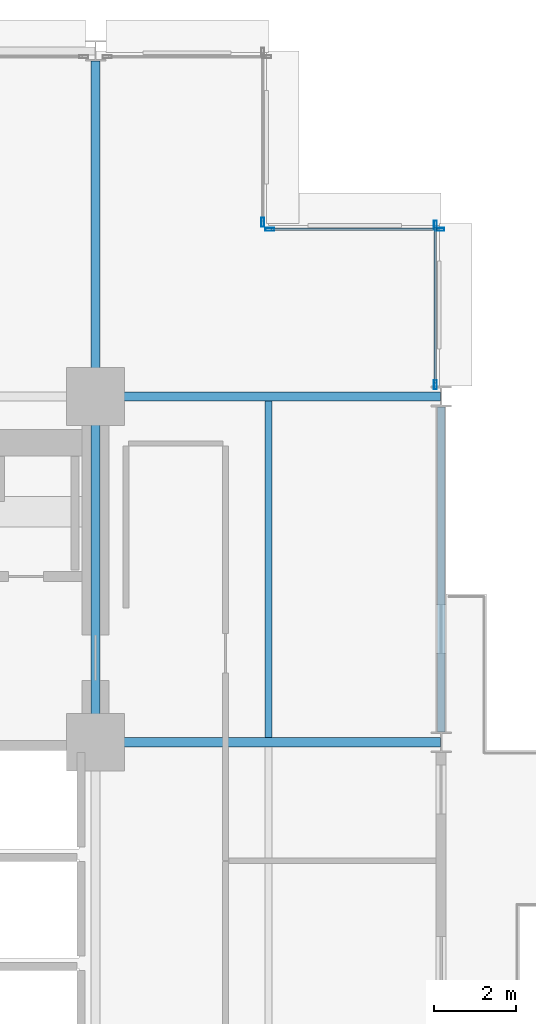
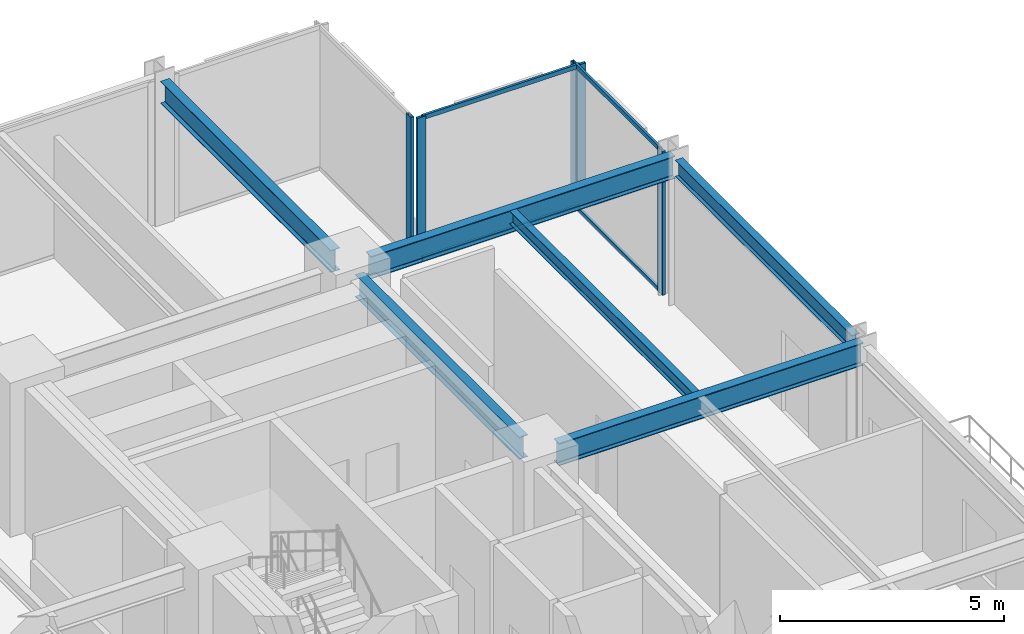
# One storey, part 16 of 25: 9 members, 6 beams, 3 elements without a shape of their own.
"""IFC4 building model written with IfcOpenShell, lengths in metres."""

from ifc_helpers import new_model, si_unit, direction, frame, origin, origin_2d, place, context, subcontext, project, spatial, hollow_rectangle, i_section, extrude, material, layer, layer_set, material_profile, profile_set, type_object, element, aggregate, save


model = new_model("IFC4")

# Units and contexts
model_context = context("Model", 3, precision=1e-05, world=origin(), true_north=direction((0.0, 1.0)))
body_context = subcontext(model_context, "Body", "Model", "MODEL_VIEW")
ifc_project = project(units=[si_unit("LENGTHUNIT", "METRE"), si_unit("AREAUNIT", "SQUARE_METRE"), si_unit("VOLUMEUNIT", "CUBIC_METRE"), si_unit("PLANEANGLEUNIT", "RADIAN"), si_unit("MASSUNIT", "GRAM", prefix="KILO")], contexts=[model_context])

# Site, building, storey
site_placement = place(None, origin())
site = spatial("IfcSite", under=ifc_project, at=site_placement, CompositionType="ELEMENT")
building_placement = place(site_placement, origin())
building = spatial("IfcBuilding", under=site, at=building_placement, Name="Nerrivon Quay Data Exchange", CompositionType="ELEMENT")
storey_placement = place(building_placement, frame((0.0, 0.0, 54.199951171875)))
storey = spatial("IfcBuildingStorey", under=building, at=storey_placement, Name="L12", CompositionType="ELEMENT", Elevation=54.199951171875)

# Beams
ifc_material_1 = material(Name="Steel Grade 350", Category="steel")
ifc_material_profile_1 = material_profile(ifc_material_1, i_section(OverallWidth=0.22900390625, OverallDepth=0.612060546875, WebThickness=0.011962890625, FlangeThickness=0.01953125, FilletRadius=0.013916015625, at=origin_2d()), Name="610UB125")
ifc_profile_set_1 = profile_set([ifc_material_profile_1], Name="Steel Grade 350")
beam_type_1 = type_object("IfcBeamType", Name="BM-G1-610UB125", PredefinedType="BEAM", material=ifc_profile_set_1)
for number, where, z_axis, x_axis, name in (
    (1, (17.340087890625, 33.60009765625, 3.619140625), (1.0, 0.0, 0.0), (0.0, 1.0, 0.0), "L12 EW Girder Y=33.6 (16.8..25.2)"),
    (2, (17.340087890625, 42.0, 3.619140625), (1.0, 0.0, 0.0), (0.0, 1.0, 0.0), "L12 EW Girder Y=42.0 (16.8..25.2)"),
):
    element("IfcBeam", number, at=place(storey_placement, frame(where, z_axis=z_axis, x_axis=x_axis)), inside=storey, type_object=beam_type_1, Name=name, PredefinedType="BEAM", context=body_context, shape_type="SweptSolid", body=[
        extrude(i_section(OverallWidth=0.22900390625, OverallDepth=0.612060546875, WebThickness=0.011962890625, FlangeThickness=0.01953125, FilletRadius=0.013916015625, at=origin_2d()), origin(), (0.0, 0.0, 1.0), 7.845947265625),
    ])
ifc_material_profile_2 = material_profile(ifc_material_1, i_section(OverallWidth=0.22802734375, OverallDepth=0.60205078125, WebThickness=0.010498046875, FlangeThickness=0.014892578125, FilletRadius=0.013916015625, at=origin_2d()), Name="610UB101")
ifc_profile_set_2 = profile_set([ifc_material_profile_2], Name="Steel Grade 350")
beam_type_2 = type_object("IfcBeamType", Name="BM-G2-610UB101", PredefinedType="BEAM", material=ifc_profile_set_2)
beam_1_placement = place(storey_placement, frame((16.800048828125, 34.139892578125, 3.6240234375), z_axis=(0.0, 1.0, 0.0), x_axis=(-1.0, 0.0, 0.0)))
element("IfcBeam", 3, at=beam_1_placement, inside=storey, type_object=beam_type_2, Name="L12 NS Girder X=16.8 (33.6..42.0)", PredefinedType="BEAM", context=body_context, shape_type="SweptSolid", body=[
    extrude(i_section(OverallWidth=0.22802734375, OverallDepth=0.60205078125, WebThickness=0.010498046875, FlangeThickness=0.014892578125, FilletRadius=0.013916015625, at=origin_2d()), origin(), (0.0, 0.0, 1.0), 7.320068359375),
])
beam_2_placement = place(storey_placement, frame((16.800048828125, 42.5400390625, 3.6240234375), z_axis=(0.0, 1.0, 0.0), x_axis=(-1.0, 0.0, 0.0)))
element("IfcBeam", 4, at=beam_2_placement, inside=storey, type_object=beam_type_2, Name="L12 NS Girder X=16.8 (42.0..50.4)", PredefinedType="BEAM", context=body_context, shape_type="SweptSolid", body=[
    extrude(i_section(OverallWidth=0.22802734375, OverallDepth=0.60205078125, WebThickness=0.010498046875, FlangeThickness=0.014892578125, FilletRadius=0.013916015625, at=origin_2d()), origin(), (0.0, 0.0, 1.0), 7.60986328125),
])
ifc_material_profile_3 = material_profile(ifc_material_1, i_section(OverallWidth=0.172119140625, OverallDepth=0.35888671875, WebThickness=0.008056640625, FlangeThickness=0.012939453125, FilletRadius=0.011474609375, at=origin_2d()), Name="360UB56.7")
ifc_profile_set_3 = profile_set([ifc_material_profile_3], Name="Steel Grade 350")
beam_type_3 = type_object("IfcBeamType", Name="BM-J3-360UB57", PredefinedType="JOIST", material=ifc_profile_set_3)
beam_3_placement = place(storey_placement, frame((21.0, 33.714599609375, 3.74560546875), z_axis=(0.0, 1.0, 0.0), x_axis=(-1.0, 0.0, 0.0)))
element("IfcBeam", 5, at=beam_3_placement, inside=storey, type_object=beam_type_3, Name="L12 Secondary Joist X=21.0 (33.6..42.0)", PredefinedType="JOIST", context=body_context, shape_type="SweptSolid", body=[
    extrude(i_section(OverallWidth=0.172119140625, OverallDepth=0.35888671875, WebThickness=0.008056640625, FlangeThickness=0.012939453125, FilletRadius=0.011474609375, at=origin_2d()), origin(), (0.0, 0.0, 1.0), 8.1708984375),
])
ifc_material_profile_4 = material_profile(ifc_material_1, i_section(OverallWidth=0.18994140625, OverallDepth=0.4541015625, WebThickness=0.008544921875, FlangeThickness=0.0126953125, FilletRadius=0.011474609375, at=origin_2d()), Name="460UB67.1")
ifc_profile_set_4 = profile_set([ifc_material_profile_4], Name="Steel Grade 350")
beam_type_4 = type_object("IfcBeamType", Name="BM-SP1-460UB67", PredefinedType="SPANDREL", material=ifc_profile_set_4)
beam_4_placement = place(storey_placement, frame((25.199951171875, 33.85009765625, 3.697998046875), z_axis=(0.0, 1.0, 0.0), x_axis=(-1.0, 0.0, 0.0)))
element("IfcBeam", 6, at=beam_4_placement, inside=storey, type_object=beam_type_4, Name="L12 NS Girder X=25.2 (33.6..42.0)", PredefinedType="SPANDREL", context=body_context, shape_type="SweptSolid", body=[
    extrude(i_section(OverallWidth=0.18994140625, OverallDepth=0.4541015625, WebThickness=0.008544921875, FlangeThickness=0.0126953125, FilletRadius=0.011474609375, at=origin_2d()), origin(), (0.0, 0.0, 1.0), 7.89990234375),
])

# Curtain wall, member
ifc_material_2 = material(Name="Anodised aluminium 6063-T6", Category="aluminium")
ifc_layer = layer(ifc_material_2, 0.219970703125)
ifc_layer_set = layer_set([ifc_layer], Name="Anodised aluminium 6063-T6")
curtain_wall_type = type_object("IfcCurtainWallType", Name="CW-SYS-01", PredefinedType="NOTDEFINED", material=ifc_layer_set)
curtain_wall_1_placement = place(storey_placement, origin())
curtain_wall_1 = element("IfcCurtainWall", 7, at=curtain_wall_1_placement, inside=storey, type_object=curtain_wall_type, Name="L12 Unitised Curtain Wall 23", PredefinedType="NOTDEFINED")
ifc_material_profile_5 = material_profile(ifc_material_2, hollow_rectangle(XDim=0.074951171875, YDim=0.219970703125, WallThickness=0.00390625, at=origin_2d()), Name="ALU-MULL-220x75")
ifc_profile_set_5 = profile_set([ifc_material_profile_5], Name="Anodised aluminium 6063-T6")
member_type_1 = type_object("IfcMemberType", Name="CWM-220x75", PredefinedType="MULLION", material=ifc_profile_set_5)
member_1_placement = place(storey_placement, frame((20.860107421875, 46.237548828125, 0.0), z_axis=(0.0, 0.0, 1.0), x_axis=(1.0, 0.0, 0.0)))
member_1 = element("IfcMember", 8, at=member_1_placement, type_object=member_type_1, Name="CW01 mullion 2", PredefinedType="MULLION", context=body_context, shape_type="SweptSolid", body=[
    extrude(hollow_rectangle(XDim=0.074951171875, YDim=0.219970703125, WallThickness=0.00390625, at=origin_2d()), origin(), (0.0, 0.0, 1.0), 3.925048828125),
])
aggregate(curtain_wall_1, [member_1])

# Curtain wall, members
curtain_wall_2_placement = place(storey_placement, origin())
curtain_wall_2 = element("IfcCurtainWall", 9, at=curtain_wall_2_placement, inside=storey, type_object=curtain_wall_type, Name="L12 Unitised Curtain Wall 24", PredefinedType="NOTDEFINED")
member_2_placement = place(storey_placement, frame((21.03759765625, 46.06005859375, 0.0), z_axis=(0.0, 0.0, 1.0), x_axis=(0.0, 1.0, 0.0)))
member_2 = element("IfcMember", 10, at=member_2_placement, type_object=member_type_1, Name="CW01 mullion 1", PredefinedType="MULLION", context=body_context, shape_type="SweptSolid", body=[
    extrude(hollow_rectangle(XDim=0.074951171875, YDim=0.219970703125, WallThickness=0.00390625, at=origin_2d()), origin(), (0.0, 0.0, 1.0), 3.925048828125),
])
member_3_placement = place(storey_placement, frame((25.16259765625, 46.06005859375, 0.0), z_axis=(0.0, 0.0, 1.0), x_axis=(0.0, 1.0, 0.0)))
member_3 = element("IfcMember", 11, at=member_3_placement, type_object=member_type_1, Name="CW01 mullion 2", PredefinedType="MULLION", context=body_context, shape_type="SweptSolid", body=[
    extrude(hollow_rectangle(XDim=0.074951171875, YDim=0.219970703125, WallThickness=0.00390625, at=origin_2d()), origin(), (0.0, 0.0, 1.0), 3.925048828125),
])

curtain_wall_3_placement = place(storey_placement, origin())
curtain_wall_3 = element("IfcCurtainWall", 12, at=curtain_wall_3_placement, inside=storey, type_object=curtain_wall_type, Name="L12 Unitised Curtain Wall 25", PredefinedType="NOTDEFINED")
member_4_placement = place(storey_placement, frame((25.06005859375, 46.16259765625, 0.0), z_axis=(0.0, 0.0, 1.0), x_axis=(1.0, 0.0, 0.0)))
member_4 = element("IfcMember", 13, at=member_4_placement, type_object=member_type_1, Name="CW01 mullion 1", PredefinedType="MULLION", context=body_context, shape_type="SweptSolid", body=[
    extrude(hollow_rectangle(XDim=0.074951171875, YDim=0.219970703125, WallThickness=0.00390625, at=origin_2d()), origin(), (0.0, 0.0, 1.0), 3.925048828125),
])
member_5_placement = place(storey_placement, frame((25.06005859375, 42.28759765625, 0.0), z_axis=(0.0, 0.0, 1.0), x_axis=(1.0, 0.0, 0.0)))
member_5 = element("IfcMember", 14, at=member_5_placement, type_object=member_type_1, Name="CW01 mullion 2", PredefinedType="MULLION", context=body_context, shape_type="SweptSolid", body=[
    extrude(hollow_rectangle(XDim=0.074951171875, YDim=0.219970703125, WallThickness=0.00390625, at=origin_2d()), origin(), (0.0, 0.0, 1.0), 3.925048828125),
])

# Member
ifc_material_profile_6 = material_profile(ifc_material_2, hollow_rectangle(XDim=0.06005859375, YDim=0.1201171875, WallThickness=0.003173828125, at=origin_2d()), Name="ALU-TRAN-120x60")
ifc_profile_set_6 = profile_set([ifc_material_profile_6], Name="Anodised aluminium 6063-T6")
member_type_2 = type_object("IfcMemberType", Name="CWT-120x60", PredefinedType="USERDEFINED", material=ifc_profile_set_6)
member_6_placement = place(storey_placement, frame((21.074951171875, 46.06005859375, 0.032470703125), z_axis=(1.0, 0.0, 0.0), x_axis=(0.0, 1.0, 0.0)))
member_6 = element("IfcMember", 15, at=member_6_placement, type_object=member_type_2, Name="CW01 transom 1.1", ObjectType="TRANSOM", PredefinedType="USERDEFINED", context=body_context, shape_type="SweptSolid", body=[
    extrude(hollow_rectangle(XDim=0.06005859375, YDim=0.1201171875, WallThickness=0.003173828125, at=origin_2d()), origin(), (0.0, 0.0, 1.0), 4.050048828125),
])

member_7_placement = place(storey_placement, frame((21.074951171875, 46.06005859375, 3.892578125), z_axis=(1.0, 0.0, 0.0), x_axis=(0.0, 1.0, 0.0)))
member_7 = element("IfcMember", 16, at=member_7_placement, type_object=member_type_2, Name="CW01 transom 1.2", ObjectType="TRANSOM", PredefinedType="USERDEFINED", context=body_context, shape_type="SweptSolid", body=[
    extrude(hollow_rectangle(XDim=0.06005859375, YDim=0.1201171875, WallThickness=0.003173828125, at=origin_2d()), origin(), (0.0, 0.0, 1.0), 4.050048828125),
])

aggregate(curtain_wall_2, [member_2, member_3, member_6, member_7])

member_8_placement = place(storey_placement, frame((25.06005859375, 46.125, 0.032470703125), z_axis=(0.0, -1.0, 0.0), x_axis=(1.0, 0.0, 0.0)))
member_8 = element("IfcMember", 17, at=member_8_placement, type_object=member_type_2, Name="CW01 transom 1.1", ObjectType="TRANSOM", PredefinedType="USERDEFINED", context=body_context, shape_type="SweptSolid", body=[
    extrude(hollow_rectangle(XDim=0.06005859375, YDim=0.1201171875, WallThickness=0.003173828125, at=origin_2d()), origin(), (0.0, 0.0, 1.0), 3.800048828125),
])

member_9_placement = place(storey_placement, frame((25.06005859375, 46.125, 3.892578125), z_axis=(0.0, -1.0, 0.0), x_axis=(1.0, 0.0, 0.0)))
member_9 = element("IfcMember", 18, at=member_9_placement, type_object=member_type_2, Name="CW01 transom 1.2", ObjectType="TRANSOM", PredefinedType="USERDEFINED", context=body_context, shape_type="SweptSolid", body=[
    extrude(hollow_rectangle(XDim=0.06005859375, YDim=0.1201171875, WallThickness=0.003173828125, at=origin_2d()), origin(), (0.0, 0.0, 1.0), 3.800048828125),
])

aggregate(curtain_wall_3, [member_4, member_5, member_8, member_9])

save(model, "model.ifc")
